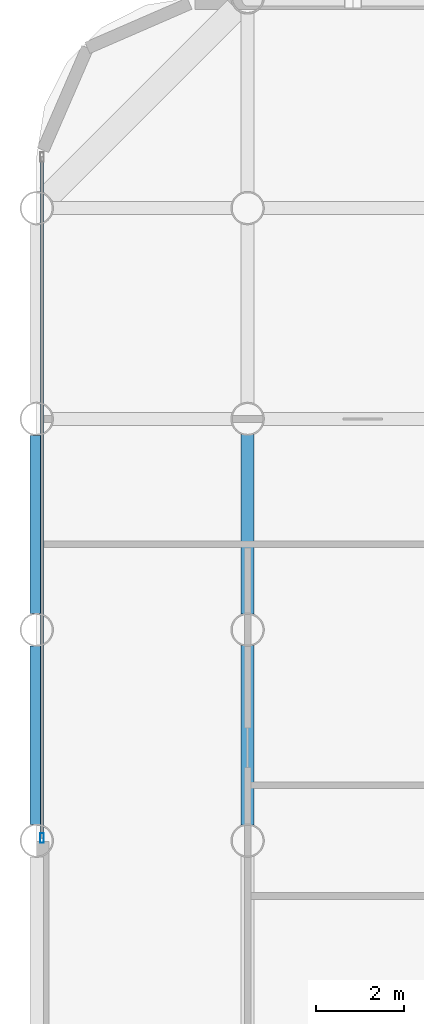
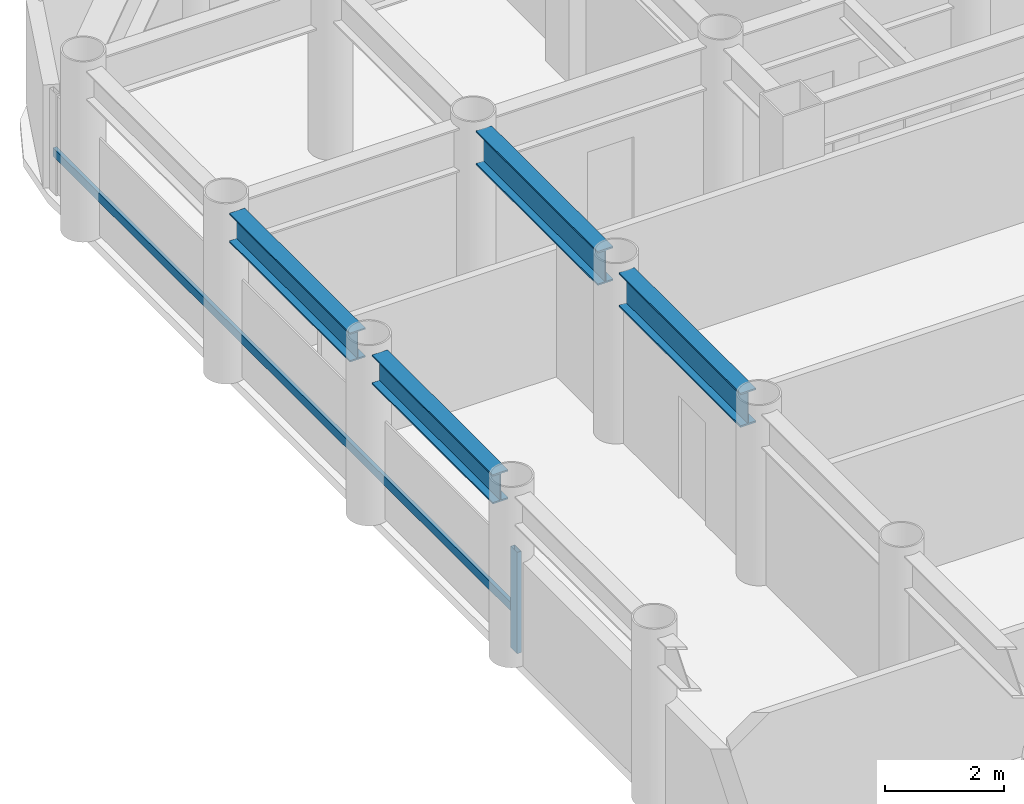
# One storey, part 4 of 22: 4 beams, 2 members, 1 element without a shape of its own.
"""IFC4 building model written with IfcOpenShell, lengths in metres."""

from ifc_helpers import new_model, si_unit, direction, frame, origin, origin_2d, place, context, subcontext, project, spatial, hollow_rectangle, i_section, extrude, material, layer, layer_set, material_profile, profile_set, type_object, element, aggregate, save


model = new_model("IFC4")

# Units and contexts
model_context = context("Model", 3, precision=1e-05, world=origin(), true_north=direction((0.0, 1.0)))
body_context = subcontext(model_context, "Body", "Model", "MODEL_VIEW")
ifc_project = project(units=[si_unit("LENGTHUNIT", "METRE"), si_unit("AREAUNIT", "SQUARE_METRE"), si_unit("VOLUMEUNIT", "CUBIC_METRE"), si_unit("PLANEANGLEUNIT", "RADIAN"), si_unit("MASSUNIT", "GRAM", prefix="KILO")], contexts=[model_context])

# Site, building, storey
site_placement = place(None, origin())
site = spatial("IfcSite", under=ifc_project, at=site_placement, CompositionType="ELEMENT")
building_placement = place(site_placement, origin())
building = spatial("IfcBuilding", under=site, at=building_placement, Name="Kallvorn Hotel Tower", CompositionType="ELEMENT")
storey_placement = place(building_placement, frame((0.0, 0.0, 48.5)))
storey = spatial("IfcBuildingStorey", under=building, at=storey_placement, Name="L10", CompositionType="ELEMENT", Elevation=48.5)

# Beams
ifc_material_1 = material(Name="Structural steel S355JR", Category="steel")
ifc_material_profile_1 = material_profile(ifc_material_1, i_section(OverallWidth=0.300048828125, OverallDepth=0.60009765625, WebThickness=0.015380859375, FlangeThickness=0.030029296875, at=origin_2d()), Name="HE 600 B")
ifc_profile_set_1 = profile_set([ifc_material_profile_1], Name="Structural steel S355JR")
beam_type_1 = type_object("IfcBeamType", Name="BM_HE600B", PredefinedType="SPANDREL", material=ifc_profile_set_1)
beam_1_placement = place(storey_placement, frame((-33.60009765625, 0.37109375, 3.219970703125), z_axis=(0.0, 1.0, 0.0), x_axis=(-1.0, 0.0, 0.0)))
element("IfcBeam", 1, at=beam_1_placement, inside=storey, type_object=beam_type_1, Name="L11 Perimeter Spandrel 178", PredefinedType="SPANDREL", context=body_context, shape_type="SweptSolid", body=[
    extrude(i_section(OverallWidth=0.300048828125, OverallDepth=0.60009765625, WebThickness=0.015380859375, FlangeThickness=0.030029296875, at=origin_2d()), origin(), (0.0, 0.0, 1.0), 4.057861328125),
])
beam_2_placement = place(storey_placement, frame((-33.60009765625, 5.1708984375, 3.219970703125), z_axis=(0.0, 1.0, 0.0), x_axis=(-1.0, 0.0, 0.0)))
element("IfcBeam", 2, at=beam_2_placement, inside=storey, type_object=beam_type_1, Name="L11 Perimeter Spandrel 179", PredefinedType="SPANDREL", context=body_context, shape_type="SweptSolid", body=[
    extrude(i_section(OverallWidth=0.300048828125, OverallDepth=0.60009765625, WebThickness=0.015380859375, FlangeThickness=0.030029296875, at=origin_2d()), origin(), (0.0, 0.0, 1.0), 4.05810546875),
])
ifc_material_2 = material(Name="Structural steel S355JR", Category="steel")
ifc_material_profile_2 = material_profile(ifc_material_2, i_section(OverallWidth=0.300048828125, OverallDepth=0.699951171875, WebThickness=0.01708984375, FlangeThickness=0.031982421875, at=origin_2d()), Name="HE 700 B")
ifc_profile_set_2 = profile_set([ifc_material_profile_2], Name="Structural steel S355JR")
beam_type_2 = type_object("IfcBeamType", Name="BM_HE700B", PredefinedType="BEAM", material=ifc_profile_set_2)
beam_3_placement = place(storey_placement, frame((-28.800048828125, 0.35595703125, 3.169921875), z_axis=(0.0, 1.0, 0.0), x_axis=(-1.0, 0.0, 0.0)))
element("IfcBeam", 3, at=beam_3_placement, inside=storey, type_object=beam_type_2, Name="L11 Primary Y-Girder 78", PredefinedType="BEAM", context=body_context, shape_type="SweptSolid", body=[
    extrude(i_section(OverallWidth=0.300048828125, OverallDepth=0.699951171875, WebThickness=0.01708984375, FlangeThickness=0.031982421875, at=origin_2d()), origin(), (0.0, 0.0, 1.0), 4.088134765625),
])
beam_4_placement = place(storey_placement, frame((-28.800048828125, 5.156005859375, 3.169921875), z_axis=(0.0, 1.0, 0.0), x_axis=(-1.0, 0.0, 0.0)))
element("IfcBeam", 4, at=beam_4_placement, inside=storey, type_object=beam_type_2, Name="L11 Primary Y-Girder 79", PredefinedType="BEAM", context=body_context, shape_type="SweptSolid", body=[
    extrude(i_section(OverallWidth=0.300048828125, OverallDepth=0.699951171875, WebThickness=0.01708984375, FlangeThickness=0.031982421875, at=origin_2d()), origin(), (0.0, 0.0, 1.0), 4.087890625),
])

# Curtain wall, members
ifc_material_3 = material(Name="Thermally broken black-anodised aluminium AA 6063-T6", Category="aluminium")
ifc_layer = layer(ifc_material_3, 0.199951171875)
ifc_layer_set = layer_set([ifc_layer], Name="CW_SYS_3_HOTEL_LOW")
curtain_wall_type = type_object("IfcCurtainWallType", Name="CW_SYS_3_HOTEL_LOW", PredefinedType="USERDEFINED", material=ifc_layer_set)
curtain_wall_placement = place(storey_placement, origin())
curtain_wall = element("IfcCurtainWall", 5, at=curtain_wall_placement, inside=storey, type_object=curtain_wall_type, Name="L10 Dark-Glass Curtain Wall CW-L10-WN", ObjectType="UNITISED CURTAIN WALL", PredefinedType="USERDEFINED")
ifc_material_4 = material(Name="Thermally broken black-anodised aluminium AA 6063-T6", Category="aluminium")
ifc_material_profile_3 = material_profile(ifc_material_4, hollow_rectangle(XDim=0.080078125, YDim=0.219970703125, WallThickness=0.0048828125, at=origin_2d()), Name="MUL 220x80")
ifc_profile_set_3 = profile_set([ifc_material_profile_3], Name="Thermally broken black-anodised aluminium AA 6063-T6")
member_type_1 = type_object("IfcMemberType", Name="CW_MULLION_220x80", PredefinedType="MULLION", material=ifc_profile_set_3)
member_1_placement = place(storey_placement, frame((-33.47998046875, 0.06005859375, 0.02001953125), z_axis=(0.0, 0.0, 1.0), x_axis=(1.0, 0.0, 0.0)))
member_1 = element("IfcMember", 6, at=member_1_placement, type_object=member_type_1, Name="CW-L10-WN Mullion 00", PredefinedType="MULLION", context=body_context, shape_type="SweptSolid", body=[
    extrude(hollow_rectangle(XDim=0.080078125, YDim=0.219970703125, WallThickness=0.0048828125, at=origin_2d()), origin(), (0.0, 0.0, 1.0), 2.080078125),
])
ifc_material_5 = material(Name="Thermally broken black-anodised aluminium AA 6063-T6", Category="aluminium")
ifc_material_profile_4 = material_profile(ifc_material_5, hollow_rectangle(XDim=0.070068359375, YDim=0.179931640625, WallThickness=0.00390625, at=origin_2d()), Name="TRN 180x70")
ifc_profile_set_4 = profile_set([ifc_material_profile_4], Name="Thermally broken black-anodised aluminium AA 6063-T6")
member_type_2 = type_object("IfcMemberType", Name="CW_TRANSOM_180x70", PredefinedType="USERDEFINED", material=ifc_profile_set_4)
member_2_placement = place(storey_placement, frame((-33.47998046875, 0.06005859375, 0.85009765625), z_axis=(0.0, 1.0, 0.0), x_axis=(-1.0, 0.0, 0.0)))
member_2 = element("IfcMember", 7, at=member_2_placement, type_object=member_type_2, Name="CW-L10-WN Transom 00M", ObjectType="TRANSOM", PredefinedType="USERDEFINED", context=body_context, shape_type="SweptSolid", body=[
    extrude(hollow_rectangle(XDim=0.070068359375, YDim=0.179931640625, WallThickness=0.00390625, at=origin_2d()), origin(), (0.0, 0.0, 1.0), 15.5),
])
aggregate(curtain_wall, [member_1, member_2])

save(model, "model.ifc")
